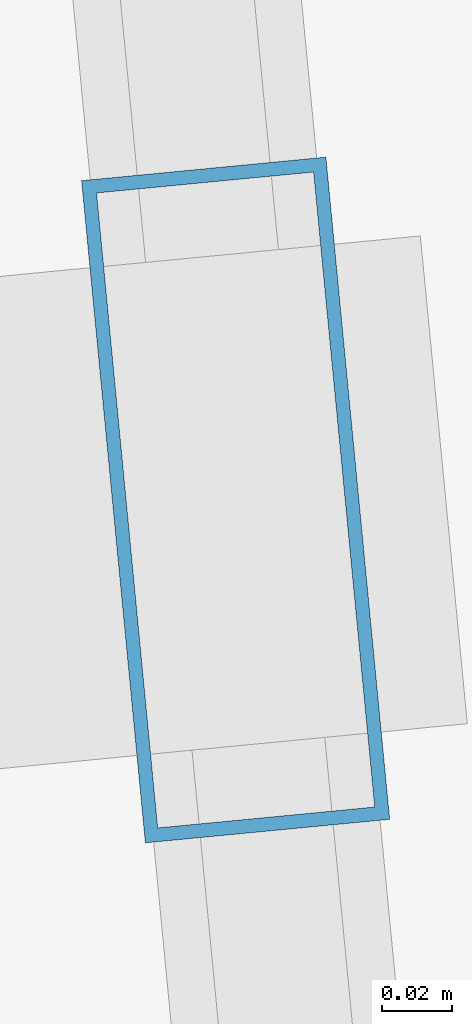
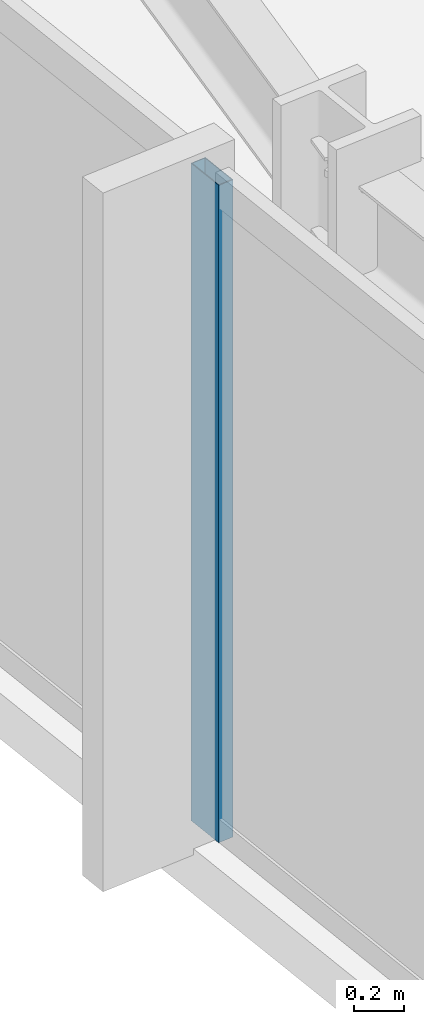
# One storey, part 8 of 32: 1 member, 1 element without a shape of its own.
"""IFC4 building model written with IfcOpenShell, lengths in metres."""

from ifc_helpers import new_model, si_unit, direction, frame, origin, origin_2d, place, context, subcontext, project, spatial, hollow_rectangle, extrude, material, material_profile, profile_set, type_object, element, aggregate, save


model = new_model("IFC4")

# Units and contexts
model_context = context("Model", 3, precision=1e-05, world=origin(), true_north=direction((0.0, 1.0)))
body_context = subcontext(model_context, "Body", "Model", "MODEL_VIEW")
ifc_project = project(units=[si_unit("LENGTHUNIT", "METRE"), si_unit("AREAUNIT", "SQUARE_METRE"), si_unit("VOLUMEUNIT", "CUBIC_METRE"), si_unit("PLANEANGLEUNIT", "RADIAN"), si_unit("MASSUNIT", "GRAM", prefix="KILO")], contexts=[model_context])

# Site, building, storey
site_placement = place(None, origin())
site = spatial("IfcSite", under=ifc_project, at=site_placement, CompositionType="ELEMENT")
building_placement = place(site_placement, origin())
building = spatial("IfcBuilding", under=site, at=building_placement, Name="Yelkora Congress Tower", CompositionType="ELEMENT")
storey_placement = place(building_placement, frame((0.0, 0.0, 130.5)))
storey = spatial("IfcBuildingStorey", under=building, at=storey_placement, Name="L35", CompositionType="ELEMENT", Elevation=130.5)

# Curtain wall, member
ifc_material_1 = material(Name="Anodised aluminium and insulated glass", Category="aluminium")
curtain_wall_type = type_object("IfcCurtainWallType", Name="CW-SYS-B2", PredefinedType="NOTDEFINED", material=ifc_material_1)
curtain_wall_placement = place(storey_placement, origin())
curtain_wall = element("IfcCurtainWall", 1, at=curtain_wall_placement, inside=storey, type_object=curtain_wall_type, Name="L35 Unitised Curtain Wall 5", PredefinedType="NOTDEFINED")
ifc_material_2 = material(Name="Anodised aluminium 6063-T6", Category="aluminium")
ifc_material_profile = material_profile(ifc_material_2, hollow_rectangle(XDim=0.070068359375, YDim=0.18994140625, WallThickness=0.00390625, at=origin_2d()), Name="ALU 70x190x4")
ifc_profile_set = profile_set([ifc_material_profile], Name="Anodised aluminium 6063-T6")
member_type = type_object("IfcMemberType", Name="MEM-ML-B2", PredefinedType="MULLION", material=ifc_profile_set)
member_placement = place(storey_placement, frame((14.47021484375, 35.0341796875, 0.0), z_axis=(0.0, 0.0, 1.0), x_axis=(-0.995396507508, -0.095842541913, 0.0)))
member = element("IfcMember", 2, at=member_placement, type_object=member_type, Name="CW-B2 mullion 4", PredefinedType="MULLION", context=body_context, shape_type="SweptSolid", body=[
    extrude(hollow_rectangle(XDim=0.070068359375, YDim=0.18994140625, WallThickness=0.00390625, at=origin_2d()), origin(), (0.0, 0.0, 1.0), 3.179931640625),
])
aggregate(curtain_wall, [member])

save(model, "model.ifc")
